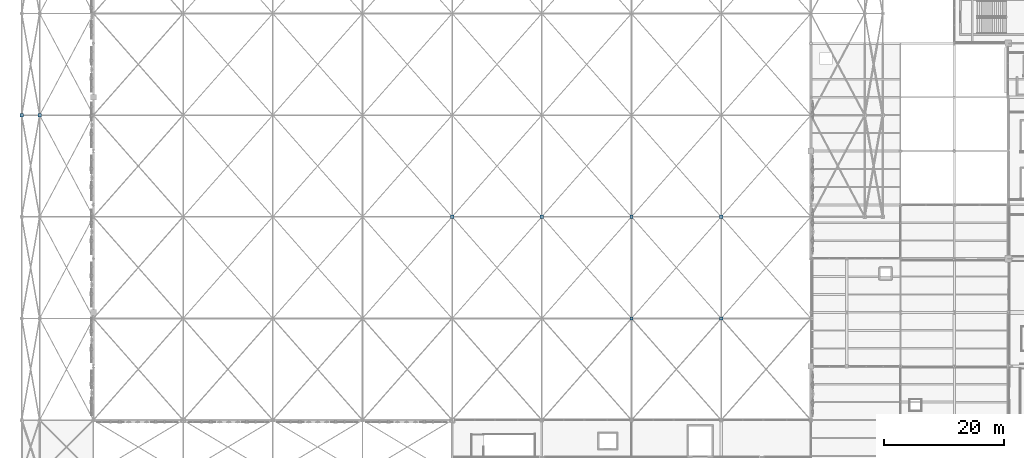
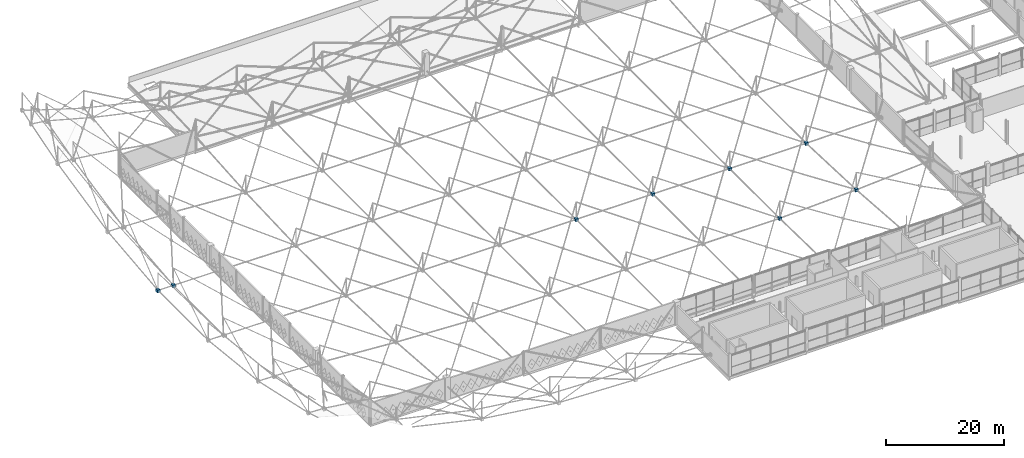
# One storey, part 207 of 224: 8 discrete accessories.
"""IFC4 building model written with IfcOpenShell, lengths in metres."""

from ifc_helpers import new_model, si_unit, direction, frame, origin, origin_2d, place, context, subcontext, project, spatial, rectangle, extrude, material, type_object, element, save


model = new_model("IFC4")

# Units and contexts
model_context = context("Model", 3, precision=1e-05, world=origin(), true_north=direction((0.0, 1.0)))
body_context = subcontext(model_context, "Body", "Model", "MODEL_VIEW")
ifc_project = project(units=[si_unit("LENGTHUNIT", "METRE"), si_unit("AREAUNIT", "SQUARE_METRE"), si_unit("VOLUMEUNIT", "CUBIC_METRE"), si_unit("PLANEANGLEUNIT", "RADIAN"), si_unit("MASSUNIT", "GRAM", prefix="KILO")], contexts=[model_context])

# Site, building, storey
site_placement = place(None, origin())
site = spatial("IfcSite", under=ifc_project, at=site_placement, CompositionType="ELEMENT")
building_placement = place(site_placement, origin())
building = spatial("IfcBuilding", under=site, at=building_placement, Name="Qamarlyn Nura Convention Centre", CompositionType="ELEMENT")
storey_placement = place(building_placement, frame((0.0, 0.0, 10.800048828125)))
storey = spatial("IfcBuildingStorey", under=building, at=storey_placement, Name="L02", CompositionType="ELEMENT", Elevation=10.800048828125)

# Discrete accessories
ifc_material = material(Name="Pearl-white PVDF steel ASTM A500 Grade C", Category="steel")
discrete_accessory_type = type_object("IfcDiscreteAccessoryType", Name="ACC-SF-NODE", PredefinedType="USERDEFINED", material=ifc_material)
for number, where, z_axis, x_axis, name in (
    (1, (-12.0, 69.0, 0.730712890625), (0.0, 0.0, 1.0), (1.0, 0.0, 0.0), "Cast space frame node BC-0-5"),
    (2, (-9.0, 69.0, 0.7255859375), (0.0, 0.0, 1.0), (1.0, 0.0, 0.0), "Cast space frame node BC-1-5"),
    (3, (60.0, 52.0, 0.52001953125), (0.0, 0.0, 1.0), (1.0, 0.0, 0.0), "Cast space frame node BC-6-4"),
    (4, (75.0, 52.0, 0.52001953125), (0.0, 0.0, 1.0), (1.0, 0.0, 0.0), "Cast space frame node BC-7-4"),
    (5, (90.0, 35.0, 0.548828125), (0.0, 0.0, 1.0), (1.0, 0.0, 0.0), "Cast space frame node BC-8-3"),
    (6, (90.0, 52.0, 0.52001953125), (0.0, 0.0, 1.0), (1.0, 0.0, 0.0), "Cast space frame node BC-8-4"),
    (7, (105.0, 35.0, 1.200439453125), (0.0, 0.0, 1.0), (1.0, 0.0, 0.0), "Cast space frame node BC-9-3"),
    (8, (105.0, 52.0, 0.521240234375), (0.0, 0.0, 1.0), (1.0, 0.0, 0.0), "Cast space frame node BC-9-4"),
):
    element("IfcDiscreteAccessory", number, at=place(storey_placement, frame(where, z_axis=z_axis, x_axis=x_axis)), inside=storey, type_object=discrete_accessory_type, Name=name, ObjectType="SPACE FRAME NODE", PredefinedType="USERDEFINED", context=body_context, shape_type="SweptSolid", body=[
        extrude(rectangle(XDim=0.56005859375, YDim=0.56005859375, at=origin_2d()), origin(), (0.0, 0.0, 1.0), 0.56005859375),
    ])

save(model, "model.ifc")
